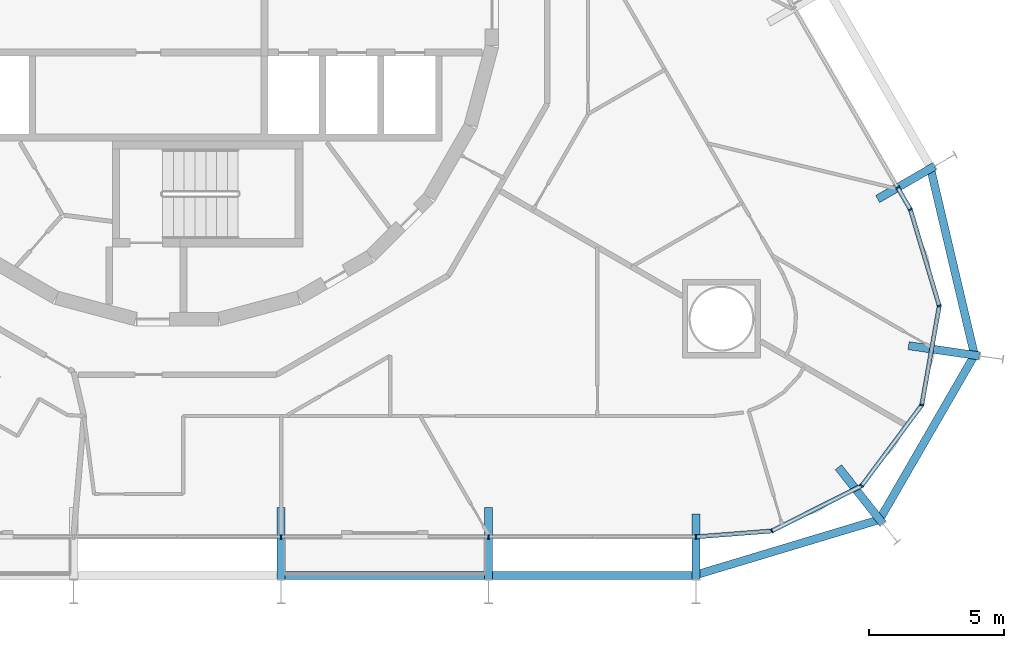
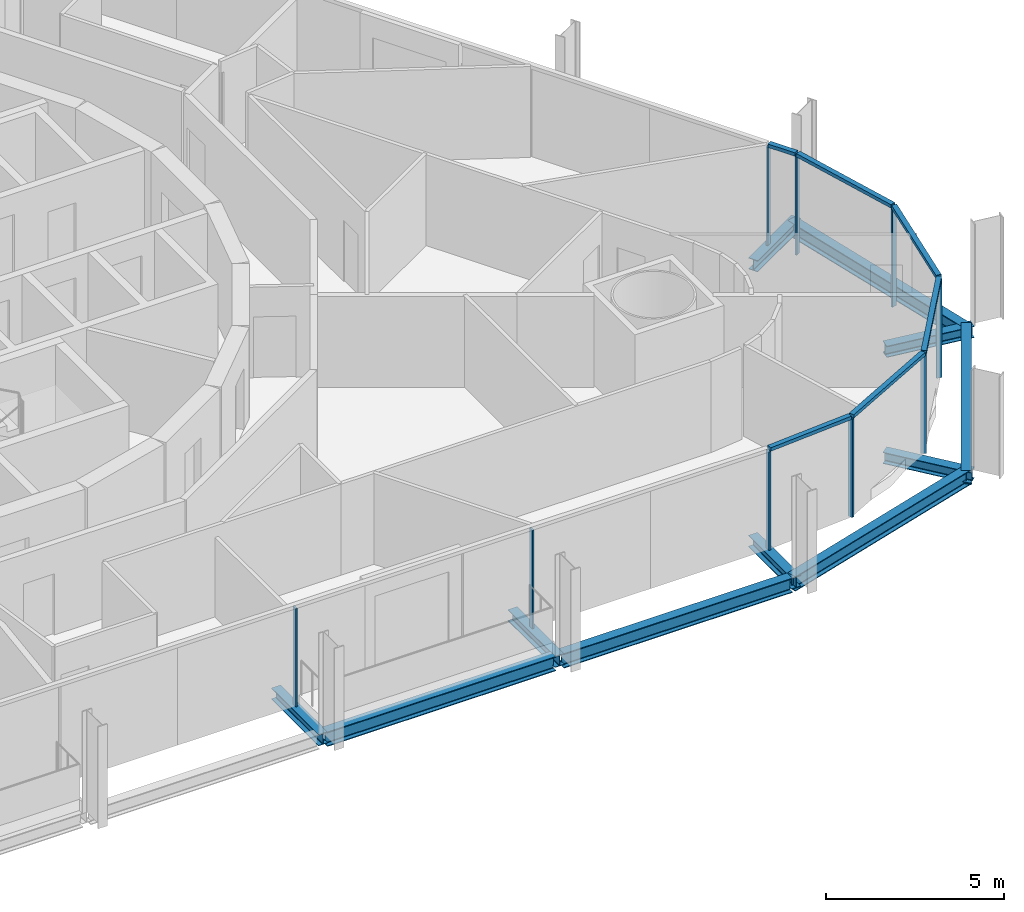
# One storey, part 6 of 20: 15 members, 11 beams, 3 elements without a shape of their own.
"""IFC4 building model written with IfcOpenShell, lengths in metres."""

from ifc_helpers import new_model, si_unit, direction, frame, origin, origin_2d, place, context, subcontext, project, spatial, rectangle, i_section, extrude, material, layer, layer_set, material_profile, profile_set, type_object, element, aggregate, save


model = new_model("IFC4")

# Units and contexts
model_context = context("Model", 3, precision=1e-05, world=origin(), true_north=direction((0.0, 1.0)))
body_context = subcontext(model_context, "Body", "Model", "MODEL_VIEW")
ifc_project = project(units=[si_unit("LENGTHUNIT", "METRE"), si_unit("AREAUNIT", "SQUARE_METRE"), si_unit("VOLUMEUNIT", "CUBIC_METRE"), si_unit("PLANEANGLEUNIT", "RADIAN"), si_unit("MASSUNIT", "GRAM", prefix="KILO")], contexts=[model_context])

# Site, building, storey
site_placement = place(None, origin())
site = spatial("IfcSite", under=ifc_project, at=site_placement, CompositionType="ELEMENT")
building_placement = place(site_placement, origin())
building = spatial("IfcBuilding", under=site, at=building_placement, Name="Spindle Arch Residences", CompositionType="ELEMENT")
storey_placement = place(building_placement, frame((0.0, 0.0, 59.39990234375)))
storey = spatial("IfcBuildingStorey", under=building, at=storey_placement, Name="L13", CompositionType="ELEMENT", Elevation=59.39990234375)

# Curtain wall, members
ifc_material_1 = material(Name="Aluminium bronze unitised frame with tinted glass", Category="aluminium")
ifc_layer_1 = layer(ifc_material_1, 0.159912109375)
ifc_layer_set_1 = layer_set([ifc_layer_1], Name="CW-D corner wall on the fillet arcs")
curtain_wall_type_1 = type_object("IfcCurtainWallType", Name="CW-D corner wall on the fillet arcs", PredefinedType="NOTDEFINED", material=ifc_layer_set_1)
curtain_wall_1_placement = place(storey_placement, origin())
curtain_wall_1 = element("IfcCurtainWall", 1, at=curtain_wall_1_placement, inside=storey, type_object=curtain_wall_type_1, Name="CW-D L13 run 1", PredefinedType="NOTDEFINED")
ifc_material_2 = material(Name="Aluminium bronze anodised mullion", Category="aluminium")
ifc_material_profile_1 = material_profile(ifc_material_2, rectangle(XDim=0.159912109375, YDim=0.06005859375, at=origin_2d()), Name="MU 60x160")
ifc_profile_set_1 = profile_set([ifc_material_profile_1], Name="Aluminium bronze anodised mullion")
member_type_1 = type_object("IfcMemberType", Name="Bronze mullion 60x160", PredefinedType="MULLION", material=ifc_profile_set_1)
member_1_placement = place(storey_placement, frame((19.2001953125, -19.7099609375, -0.3798828125), z_axis=(0.0, 0.0, 1.0), x_axis=(-0.077364085451, 0.997002907861, 0.0)))
member_1 = element("IfcMember", 2, at=member_1_placement, type_object=member_type_1, Name="CW-D mullion 00", PredefinedType="MULLION", context=body_context, shape_type="SweptSolid", body=[
    extrude(rectangle(XDim=0.159912109375, YDim=0.06005859375, at=origin_2d()), origin(), (0.0, 0.0, 1.0), 3.3798828125),
])
member_2_placement = place(storey_placement, frame((22.007080078125, -19.4921875, -0.3798828125), z_axis=(0.0, 0.0, 1.0), x_axis=(-0.448799176213, 0.893632642326, 0.0)))
member_2 = element("IfcMember", 3, at=member_2_placement, type_object=member_type_1, Name="CW-D mullion 01", PredefinedType="MULLION", context=body_context, shape_type="SweptSolid", body=[
    extrude(rectangle(XDim=0.159912109375, YDim=0.06005859375, at=origin_2d()), origin(), (0.0, 0.0, 1.0), 3.3798828125),
])
member_3_placement = place(storey_placement, frame((25.33740234375, -17.819580078125, -0.3798828125), z_axis=(0.0, 0.0, 1.0), x_axis=(-0.802123189687, 0.597158595823, 0.0)))
member_3 = element("IfcMember", 4, at=member_3_placement, type_object=member_type_1, Name="CW-D mullion 02", PredefinedType="MULLION", context=body_context, shape_type="SweptSolid", body=[
    extrude(rectangle(XDim=0.159912109375, YDim=0.06005859375, at=origin_2d()), origin(), (0.0, 0.0, 1.0), 3.3798828125),
])
member_4_placement = place(storey_placement, frame((27.562744140625, -14.830322265625, -0.3798828125), z_axis=(0.0, 0.0, 1.0), x_axis=(-0.984807752421, 0.173648181019, 0.0)))
member_4 = element("IfcMember", 5, at=member_4_placement, type_object=member_type_1, Name="CW-D mullion 03", PredefinedType="MULLION", context=body_context, shape_type="SweptSolid", body=[
    extrude(rectangle(XDim=0.159912109375, YDim=0.06005859375, at=origin_2d()), origin(), (0.0, 0.0, 1.0), 3.3798828125),
])
member_5_placement = place(storey_placement, frame((28.2099609375, -11.16015625, -0.3798828125), z_axis=(0.0, 0.0, 1.0), x_axis=(-0.957989512975, -0.28680323051, 0.0)))
member_5 = element("IfcMember", 6, at=member_5_placement, type_object=member_type_1, Name="CW-D mullion 04", PredefinedType="MULLION", context=body_context, shape_type="SweptSolid", body=[
    extrude(rectangle(XDim=0.159912109375, YDim=0.06005859375, at=origin_2d()), origin(), (0.0, 0.0, 1.0), 3.3798828125),
])
member_6_placement = place(storey_placement, frame((27.14111328125, -7.58984375, -0.3798828125), z_axis=(0.0, 0.0, 1.0), x_axis=(-0.866025403784, -0.5, 0.0)))
member_6 = element("IfcMember", 7, at=member_6_placement, type_object=member_type_1, Name="CW-D mullion 05", PredefinedType="MULLION", context=body_context, shape_type="SweptSolid", body=[
    extrude(rectangle(XDim=0.159912109375, YDim=0.06005859375, at=origin_2d()), origin(), (0.0, 0.0, 1.0), 3.3798828125),
])

# Curtain wall, member
ifc_material_3 = material(Name="Aluminium bronze unitised frame with tinted glass", Category="aluminium")
ifc_layer_2 = layer(ifc_material_3, 0.159912109375)
ifc_layer_set_2 = layer_set([ifc_layer_2], Name="CW-C typical residential unitised wall")
curtain_wall_type_2 = type_object("IfcCurtainWallType", Name="CW-C typical residential unitised wall", PredefinedType="NOTDEFINED", material=ifc_layer_set_2)
curtain_wall_2_placement = place(storey_placement, origin())
curtain_wall_2 = element("IfcCurtainWall", 8, at=curtain_wall_2_placement, inside=storey, type_object=curtain_wall_type_2, Name="CW-C L13 run 2", PredefinedType="NOTDEFINED")
member_7_placement = place(storey_placement, frame((26.66943359375, -6.77294921875, -0.3798828125), z_axis=(0.0, 0.0, 1.0), x_axis=(-0.866025403784, -0.5, 0.0)))
member_7 = element("IfcMember", 9, at=member_7_placement, type_object=member_type_1, Name="CW-C mullion 05", PredefinedType="MULLION", context=body_context, shape_type="SweptSolid", body=[
    extrude(rectangle(XDim=0.159912109375, YDim=0.06005859375, at=origin_2d()), origin(), (0.0, 0.0, 1.0), 3.3798828125),
])
aggregate(curtain_wall_2, [member_7])

# Curtain wall, members
curtain_wall_3_placement = place(storey_placement, origin())
curtain_wall_3 = element("IfcCurtainWall", 10, at=curtain_wall_3_placement, inside=storey, type_object=curtain_wall_type_2, Name="CW-C L13 run 6", PredefinedType="NOTDEFINED")
member_8_placement = place(storey_placement, frame((3.840087890625, -19.7099609375, -0.3798828125), z_axis=(0.0, 0.0, 1.0), x_axis=(0.0, 1.0, 0.0)))
member_8 = element("IfcMember", 11, at=member_8_placement, type_object=member_type_1, Name="CW-C mullion 00", PredefinedType="MULLION", context=body_context, shape_type="SweptSolid", body=[
    extrude(rectangle(XDim=0.159912109375, YDim=0.06005859375, at=origin_2d()), origin(), (0.0, 0.0, 1.0), 3.3798828125),
])
member_9_placement = place(storey_placement, frame((11.52001953125, -19.7099609375, -0.3798828125), z_axis=(0.0, 0.0, 1.0), x_axis=(0.0, 1.0, 0.0)))
member_9 = element("IfcMember", 12, at=member_9_placement, type_object=member_type_1, Name="CW-C mullion 01", PredefinedType="MULLION", context=body_context, shape_type="SweptSolid", body=[
    extrude(rectangle(XDim=0.159912109375, YDim=0.06005859375, at=origin_2d()), origin(), (0.0, 0.0, 1.0), 3.3798828125),
])
aggregate(curtain_wall_3, [member_8, member_9])

# Member
ifc_material_4 = material(Name="Aluminium bronze anodised transom", Category="aluminium")
ifc_material_profile_2 = material_profile(ifc_material_4, rectangle(XDim=0.159912109375, YDim=0.1201171875, at=origin_2d()), Name="TR 120x160")
ifc_profile_set_2 = profile_set([ifc_material_profile_2], Name="Aluminium bronze anodised transom")
member_type_2 = type_object("IfcMemberType", Name="Bronze transom 120x160", PredefinedType="USERDEFINED", material=ifc_profile_set_2)
member_10_placement = place(storey_placement, frame((19.22998046875, -19.70751953125, 3.06005859375), z_axis=(0.997003710875, 0.077353736189, 0.0), x_axis=(-0.077353736189, 0.997003710875, 0.0)))
member_10 = element("IfcMember", 13, at=member_10_placement, type_object=member_type_2, Name="CW-D transom 00", ObjectType="TRANSOM", PredefinedType="USERDEFINED", context=body_context, shape_type="SweptSolid", body=[
    extrude(rectangle(XDim=0.159912109375, YDim=0.1201171875, at=origin_2d()), origin(), (0.0, 0.0, 1.0), 2.75537109375),
])

member_11_placement = place(storey_placement, frame((22.03369140625, -19.478759765625, 3.06005859375), z_axis=(0.893626812559, 0.448810784046, 0.0), x_axis=(-0.448810784046, 0.893626812559, 0.0)))
member_11 = element("IfcMember", 14, at=member_11_placement, type_object=member_type_2, Name="CW-D transom 01", ObjectType="TRANSOM", PredefinedType="USERDEFINED", context=body_context, shape_type="SweptSolid", body=[
    extrude(rectangle(XDim=0.159912109375, YDim=0.1201171875, at=origin_2d()), origin(), (0.0, 0.0, 1.0), 3.6669921875),
])

member_12_placement = place(storey_placement, frame((25.355224609375, -17.79541015625, 3.06005859375), z_axis=(0.597173190998, 0.802112323776, 0.0), x_axis=(-0.802112323776, 0.597173190998, 0.0)))
member_12 = element("IfcMember", 15, at=member_12_placement, type_object=member_type_2, Name="CW-D transom 02", ObjectType="TRANSOM", PredefinedType="USERDEFINED", context=body_context, shape_type="SweptSolid", body=[
    extrude(rectangle(XDim=0.159912109375, YDim=0.1201171875, at=origin_2d()), origin(), (0.0, 0.0, 1.0), 3.666748046875),
])

member_13_placement = place(storey_placement, frame((27.56787109375, -14.80078125, 3.06005859375), z_axis=(0.173709368694, 0.984796961423, 0.0), x_axis=(-0.984796961423, 0.173709368694, 0.0)))
member_13 = element("IfcMember", 16, at=member_13_placement, type_object=member_type_2, Name="CW-D transom 03", ObjectType="TRANSOM", PredefinedType="USERDEFINED", context=body_context, shape_type="SweptSolid", body=[
    extrude(rectangle(XDim=0.159912109375, YDim=0.1201171875, at=origin_2d()), origin(), (0.0, 0.0, 1.0), 3.666748046875),
])

member_14_placement = place(storey_placement, frame((28.201416015625, -11.13134765625, 3.06005859375), z_axis=(-0.286834736274, 0.957980080203, 0.0), x_axis=(-0.957980080203, -0.286834736274, 0.0)))
member_14 = element("IfcMember", 17, at=member_14_placement, type_object=member_type_2, Name="CW-D transom 04", ObjectType="TRANSOM", PredefinedType="USERDEFINED", context=body_context, shape_type="SweptSolid", body=[
    extrude(rectangle(XDim=0.159912109375, YDim=0.1201171875, at=origin_2d()), origin(), (0.0, 0.0, 1.0), 3.666748046875),
])

member_15_placement = place(storey_placement, frame((27.1259765625, -7.56396484375, 3.06005859375), z_axis=(-0.499913830031, 0.866075148324, 0.0), x_axis=(-0.866075148324, -0.499913830031, 0.0)))
member_15 = element("IfcMember", 18, at=member_15_placement, type_object=member_type_2, Name="CW-D transom 05", ObjectType="TRANSOM", PredefinedType="USERDEFINED", context=body_context, shape_type="SweptSolid", body=[
    extrude(rectangle(XDim=0.159912109375, YDim=0.1201171875, at=origin_2d()), origin(), (0.0, 0.0, 1.0), 0.883544921875),
])

aggregate(curtain_wall_1, [member_1, member_10, member_2, member_11, member_3, member_12, member_4, member_13, member_5, member_14, member_6, member_15])

# Beams
ifc_material_5 = material(Name="Steel S460ML, intumescent coating R 120", Category="steel")
ifc_material_profile_3 = material_profile(ifc_material_5, i_section(OverallWidth=0.300048828125, OverallDepth=0.5, WebThickness=0.014404296875, FlangeThickness=0.028076171875, FilletRadius=0.027099609375, at=origin_2d()), Name="HEB 500")
ifc_profile_set_3 = profile_set([ifc_material_profile_3], Name="Steel S460ML, intumescent coating R 120")
beam_type_1 = type_object("IfcBeamType", Name="Exoskeleton edge beam HEB 500", PredefinedType="BEAM", material=ifc_profile_set_3)
for number, where, z_axis, x_axis, name in (
    (19, (3.969970703125, -21.142822265625, -0.6298828125), (1.0, 0.0, 0.0), (0.0, 1.0, 0.0), "Exoskeleton edge beam 1"),
    (20, (11.650146484375, -21.142822265625, -0.6298828125), (1.0, 0.0, 0.0), (0.0, 1.0, 0.0), "Exoskeleton edge beam 2"),
):
    element("IfcBeam", number, at=place(storey_placement, frame(where, z_axis=z_axis, x_axis=x_axis)), inside=storey, type_object=beam_type_1, Name=name, PredefinedType="BEAM", context=body_context, shape_type="SweptSolid", body=[
        extrude(i_section(OverallWidth=0.300048828125, OverallDepth=0.5, WebThickness=0.014404296875, FlangeThickness=0.028076171875, FilletRadius=0.027099609375, at=origin_2d()), origin(), (0.0, 0.0, 1.0), 7.420166015625),
    ])
beam_1_placement = place(storey_placement, frame((19.132568359375, -21.1376953125, -0.6298828125), z_axis=(0.95756732363, 0.288209681856, 0.0), x_axis=(-0.288209681856, 0.95756732363, 0.0)))
element("IfcBeam", 21, at=beam_1_placement, inside=storey, type_object=beam_type_1, Name="Exoskeleton edge beam 3", PredefinedType="BEAM", context=body_context, shape_type="SweptSolid", body=[
    extrude(i_section(OverallWidth=0.300048828125, OverallDepth=0.5, WebThickness=0.014404296875, FlangeThickness=0.028076171875, FilletRadius=0.027099609375, at=origin_2d()), origin(), (0.0, 0.0, 1.0), 7.250244140625),
])
beam_2_placement = place(storey_placement, frame((25.9482421875, -19.1591796875, -0.6298828125), z_axis=(0.499999897272, 0.866025463095, 0.0), x_axis=(-0.866025463095, 0.499999897272, 0.0)))
element("IfcBeam", 22, at=beam_2_placement, inside=storey, type_object=beam_type_1, Name="Exoskeleton edge beam 4", PredefinedType="BEAM", context=body_context, shape_type="SweptSolid", body=[
    extrude(i_section(OverallWidth=0.300048828125, OverallDepth=0.5, WebThickness=0.014404296875, FlangeThickness=0.028076171875, FilletRadius=0.027099609375, at=origin_2d()), origin(), (0.0, 0.0, 1.0), 7.236328125),
])
beam_3_placement = place(storey_placement, frame((29.53369140625, -13.0576171875, -0.6298828125), z_axis=(-0.229185730541, 0.973382710406, 0.0), x_axis=(-0.973382710406, -0.229185730541, 0.0)))
element("IfcBeam", 23, at=beam_3_placement, inside=storey, type_object=beam_type_1, Name="Exoskeleton edge beam 5", PredefinedType="BEAM", context=body_context, shape_type="SweptSolid", body=[
    extrude(i_section(OverallWidth=0.300048828125, OverallDepth=0.5, WebThickness=0.014404296875, FlangeThickness=0.028076171875, FilletRadius=0.027099609375, at=origin_2d()), origin(), (0.0, 0.0, 1.0), 7.25),
])
ifc_material_6 = material(Name="Steel S460ML, intumescent coating R 120", Category="steel")
ifc_material_profile_4 = material_profile(ifc_material_6, i_section(OverallWidth=0.300048828125, OverallDepth=0.389892578125, WebThickness=0.010986328125, FlangeThickness=0.01904296875, FilletRadius=0.027099609375, at=origin_2d()), Name="HEA 400")
ifc_profile_set_4 = profile_set([ifc_material_profile_4], Name="Steel S460ML, intumescent coating R 120")
beam_type_2 = type_object("IfcBeamType", Name="Floor outrigger HEA 400", PredefinedType="BEAM", material=ifc_profile_set_4)
for number, where, z_axis, x_axis, name in (
    (24, (3.840087890625, -21.27978515625, -0.574951171875), (0.0, 1.0, 0.0), (-1.0, 0.0, 0.0), "Floor outrigger 1"),
    (25, (11.52001953125, -21.27978515625, -0.574951171875), (0.0, 1.0, 0.0), (-1.0, 0.0, 0.0), "Floor outrigger 2"),
):
    element("IfcBeam", number, at=place(storey_placement, frame(where, z_axis=z_axis, x_axis=x_axis)), inside=storey, type_object=beam_type_2, Name=name, PredefinedType="BEAM", context=body_context, shape_type="SweptSolid", body=[
        extrude(i_section(OverallWidth=0.300048828125, OverallDepth=0.389892578125, WebThickness=0.010986328125, FlangeThickness=0.01904296875, FilletRadius=0.027099609375, at=origin_2d()), origin(), (0.0, 0.0, 1.0), 2.64990234375),
    ])
beam_4_placement = place(storey_placement, frame((19.2001953125, -21.27978515625, -0.574951171875), z_axis=(0.0, 1.0, 0.0), x_axis=(-1.0, 0.0, 0.0)))
element("IfcBeam", 26, at=beam_4_placement, inside=storey, type_object=beam_type_2, Name="Floor outrigger 3", PredefinedType="BEAM", context=body_context, shape_type="SweptSolid", body=[
    extrude(i_section(OverallWidth=0.300048828125, OverallDepth=0.389892578125, WebThickness=0.010986328125, FlangeThickness=0.01904296875, FilletRadius=0.027099609375, at=origin_2d()), origin(), (0.0, 0.0, 1.0), 2.42333984375),
])
for number, where, z_axis, x_axis, name in (
    (27, (26.11328125, -19.211669921875, -0.574951171875), (-0.618586231558, 0.785716917297, 0.0), (-0.785716917297, -0.618586231558, 0.0), "Floor outrigger 4"),
    (28, (29.694580078125, -13.009033203125, -0.574951171875), (-0.989738348309, 0.142891573883, 0.0), (-0.142891573883, -0.989738348309, 0.0), "Floor outrigger 5"),
):
    element("IfcBeam", number, at=place(storey_placement, frame(where, z_axis=z_axis, x_axis=x_axis)), inside=storey, type_object=beam_type_2, Name=name, PredefinedType="BEAM", context=body_context, shape_type="SweptSolid", body=[
        extrude(i_section(OverallWidth=0.300048828125, OverallDepth=0.389892578125, WebThickness=0.010986328125, FlangeThickness=0.01904296875, FilletRadius=0.027099609375, at=origin_2d()), origin(), (0.0, 0.0, 1.0), 2.64990234375),
    ])
beam_5_placement = place(storey_placement, frame((28.029052734375, -5.98779296875, -0.574951171875), z_axis=(-0.866002732682, -0.500039265445, 0.0), x_axis=(0.500039265445, -0.866002732682, 0.0)))
element("IfcBeam", 29, at=beam_5_placement, inside=storey, type_object=beam_type_2, Name="Floor outrigger 6", PredefinedType="BEAM", context=body_context, shape_type="SweptSolid", body=[
    extrude(i_section(OverallWidth=0.300048828125, OverallDepth=0.389892578125, WebThickness=0.010986328125, FlangeThickness=0.01904296875, FilletRadius=0.027099609375, at=origin_2d()), origin(), (0.0, 0.0, 1.0), 2.423583984375),
])

save(model, "model.ifc")
